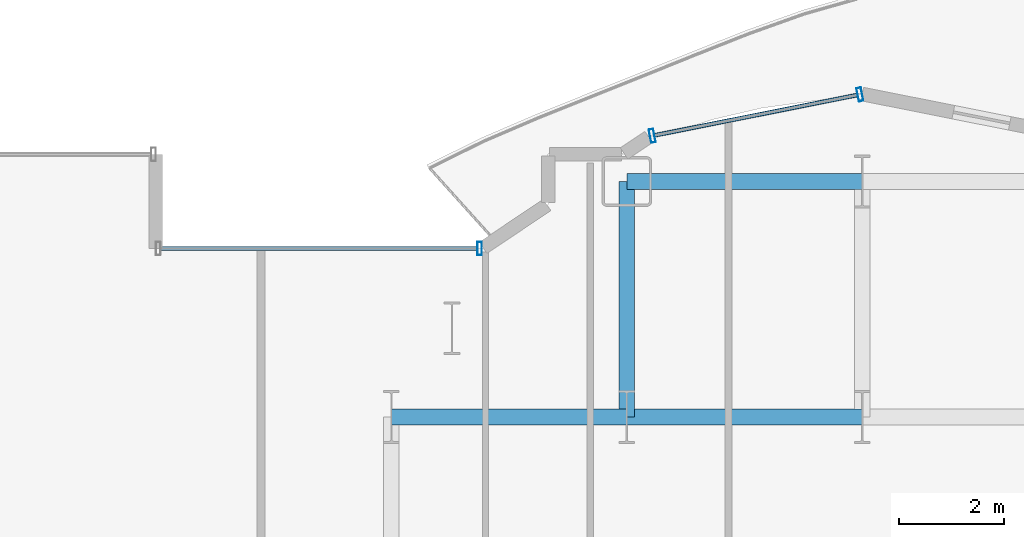
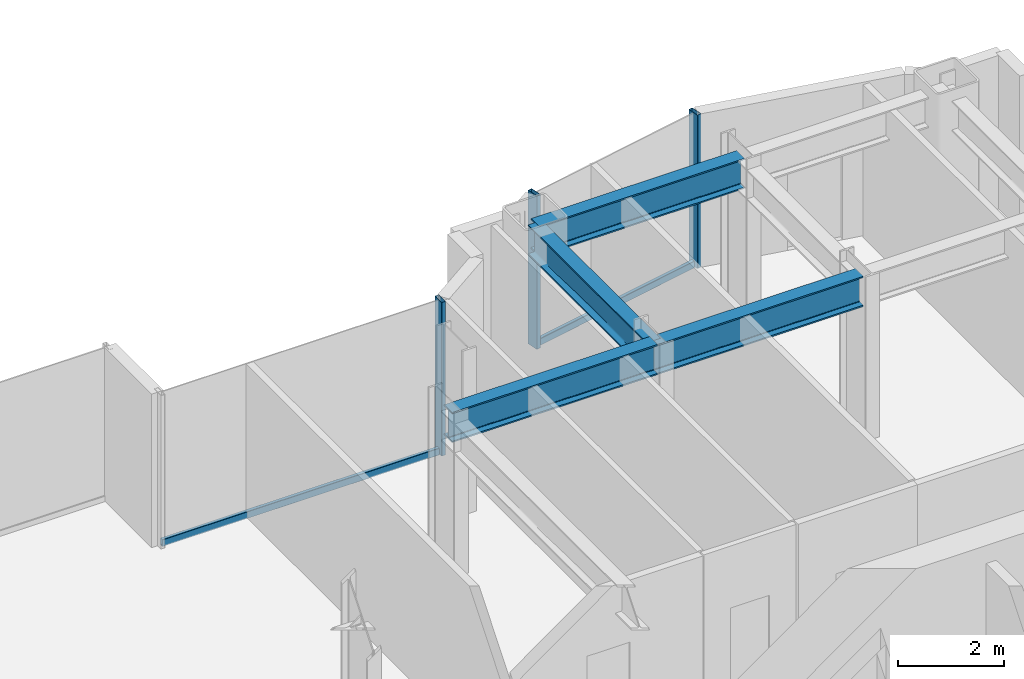
# One storey, part 13 of 29: 5 members, 4 beams, 2 elements without a shape of their own.
"""IFC4 building model written with IfcOpenShell, lengths in metres."""

from ifc_helpers import new_model, si_unit, direction, frame, origin, origin_2d, place, context, subcontext, project, spatial, hollow_rectangle, i_section, extrude, source, transform, mapped, material, layer, layer_set, material_profile, profile_set, type_object, element, aggregate, save


model = new_model("IFC4")

# Units and contexts
model_context = context("Model", 3, precision=1e-05, world=origin(), true_north=direction((0.0, 1.0)))
body_context = subcontext(model_context, "Body", "Model", "MODEL_VIEW")
ifc_project = project(units=[si_unit("LENGTHUNIT", "METRE"), si_unit("AREAUNIT", "SQUARE_METRE"), si_unit("VOLUMEUNIT", "CUBIC_METRE"), si_unit("PLANEANGLEUNIT", "RADIAN"), si_unit("MASSUNIT", "GRAM", prefix="KILO")], contexts=[model_context])

# Site, building, storey
site_placement = place(None, origin())
site = spatial("IfcSite", under=ifc_project, at=site_placement, CompositionType="ELEMENT")
building_placement = place(site_placement, origin())
building = spatial("IfcBuilding", under=site, at=building_placement, Name="Nefas-Gora Pilgrimage Tower", CompositionType="ELEMENT")
storey_placement = place(building_placement, frame((0.0, 0.0, 44.39990234375)))
storey = spatial("IfcBuildingStorey", under=building, at=storey_placement, Name="L09", CompositionType="ELEMENT", Elevation=44.39990234375)

# Beams
ifc_material_1 = material(Name="Steel S355", Category="steel")
ifc_material_profile_1 = material_profile(ifc_material_1, i_section(OverallWidth=0.300048828125, OverallDepth=0.699951171875, WebThickness=0.01708984375, FlangeThickness=0.031982421875, FilletRadius=0.027099609375, at=origin_2d()), Name="HEB 700")
ifc_profile_set_1 = profile_set([ifc_material_profile_1], Name="Steel S355")
beam_type = type_object("IfcBeamType", Name="BM-GIR-HEB700", PredefinedType="BEAM", material=ifc_profile_set_1)
shared_shape_1 = source(origin(), body_context, "Body", "SweptSolid", [
    extrude(i_section(OverallWidth=0.300048828125, OverallDepth=0.699951171875, WebThickness=0.01708984375, FlangeThickness=0.031982421875, FilletRadius=0.027099609375, at=origin_2d()), origin(), (0.0, 0.0, 1.0), 4.5),
])
for number, where, z_axis, x_axis, name in (
    (1, (-11.25, 18.0, 3.2001953125), (1.0, 0.0, 0.0), (0.0, 1.0, 0.0), "L09 G-02 beam"),
    (2, (-6.75, 18.0, 3.2001953125), (0.0, 1.0, 0.0), (-1.0, 0.0, 0.0), "L09 G-02 beam"),
    (3, (-6.75, 18.0, 3.2001953125), (1.0, 0.0, 0.0), (0.0, 1.0, 0.0), "L09 G-02 beam"),
    (4, (-6.75, 22.5, 3.2001953125), (1.0, 0.0, 0.0), (0.0, 1.0, 0.0), "L09 G-02 beam"),
):
    element("IfcBeam", number, at=place(storey_placement, frame(where, z_axis=z_axis, x_axis=x_axis)), inside=storey, type_object=beam_type, Name=name, PredefinedType="BEAM", context=body_context, shape_type="MappedRepresentation", body=[
        mapped(shared_shape_1, transform((0.0, 0.0, 0.0), x_axis=(1.0, 0.0, 0.0), y_axis=(0.0, 1.0, 0.0), z_axis=(0.0, 0.0, 1.0), scale=1.0)),
    ])

# Curtain wall, members
ifc_material_2 = material(Name="Dark ceramic-fritted solar-control aluminium-glass curtain wall", Category="aluminium")
ifc_layer = layer(ifc_material_2, 0.219970703125)
ifc_layer_set = layer_set([ifc_layer], Name="Dark ceramic-fritted solar-control aluminium-glass curtain wall")
curtain_wall_type = type_object("IfcCurtainWallType", Name="CW-SYS-5", PredefinedType="NOTDEFINED", material=ifc_layer_set)
curtain_wall_1_placement = place(storey_placement, origin())
curtain_wall_1 = element("IfcCurtainWall", 5, at=curtain_wall_1_placement, inside=storey, type_object=curtain_wall_type, Name="L09 Unitised Curtain Wall CW5", PredefinedType="NOTDEFINED")
ifc_material_3 = material(Name="Anodised architectural aluminium", Category="aluminium")
ifc_material_profile_2 = material_profile(ifc_material_3, hollow_rectangle(XDim=0.090087890625, YDim=0.260009765625, WallThickness=0.006103515625, InnerFilletRadius=0.006103515625, OuterFilletRadius=0.011962890625, at=origin_2d()), Name="ALU MULLION 90x260")
ifc_profile_set_2 = profile_set([ifc_material_profile_2], Name="Anodised architectural aluminium")
member_type_1 = type_object("IfcMemberType", Name="CWM-MUL-5", PredefinedType="MULLION", material=ifc_profile_set_2)
shared_shape_2 = source(origin(), body_context, "Body", "SweptSolid", [
    extrude(hollow_rectangle(XDim=0.090087890625, YDim=0.260009765625, WallThickness=0.006103515625, InnerFilletRadius=0.006103515625, OuterFilletRadius=0.011962890625, at=origin_2d()), origin(), (0.0, 0.0, 1.0), 3.550048828125),
])
member_1_placement = place(storey_placement, frame((-2.294189453125, 24.16357421875, 0.0), z_axis=(0.0, 0.0, 1.0), x_axis=(-0.980782896852, -0.195102304554, 0.0)))
member_1 = element("IfcMember", 6, at=member_1_placement, type_object=member_type_1, Name="CW5 Mullion 1", PredefinedType="MULLION", context=body_context, shape_type="MappedRepresentation", body=[
    mapped(shared_shape_2, transform((0.0, 0.0, 0.0), x_axis=(1.0, 0.0, 0.0), y_axis=(0.0, 1.0, 0.0), z_axis=(0.0, 0.0, 1.0), scale=1.0)),
])
member_2_placement = place(storey_placement, frame((-6.26318359375, 23.3740234375, 0.0), z_axis=(0.0, 0.0, 1.0), x_axis=(-0.980782896852, -0.195102304554, 0.0)))
member_2 = element("IfcMember", 7, at=member_2_placement, type_object=member_type_1, Name="CW5 Mullion 2", PredefinedType="MULLION", context=body_context, shape_type="MappedRepresentation", body=[
    mapped(shared_shape_2, transform((0.0, 0.0, 0.0), x_axis=(1.0, 0.0, 0.0), y_axis=(0.0, 1.0, 0.0), z_axis=(0.0, 0.0, 1.0), scale=1.0)),
])

curtain_wall_2_placement = place(storey_placement, origin())
curtain_wall_2 = element("IfcCurtainWall", 8, at=curtain_wall_2_placement, inside=storey, type_object=curtain_wall_type, Name="L09 Unitised Curtain Wall CW5", PredefinedType="NOTDEFINED")
member_3_placement = place(storey_placement, frame((-9.56298828125, 21.219970703125, 0.0), z_axis=(0.0, 0.0, 1.0), x_axis=(-1.0, 0.0, 0.0)))
member_3 = element("IfcMember", 9, at=member_3_placement, type_object=member_type_1, Name="CW5 Mullion 1", PredefinedType="MULLION", context=body_context, shape_type="MappedRepresentation", body=[
    mapped(shared_shape_2, transform((0.0, 0.0, 0.0), x_axis=(1.0, 0.0, 0.0), y_axis=(0.0, 1.0, 0.0), z_axis=(0.0, 0.0, 1.0), scale=1.0)),
])
ifc_material_profile_3 = material_profile(ifc_material_3, hollow_rectangle(XDim=0.080078125, YDim=0.159912109375, WallThickness=0.00439453125, InnerFilletRadius=0.00439453125, OuterFilletRadius=0.009033203125, at=origin_2d()), Name="ALU TRANSOM 80x160")
ifc_profile_set_3 = profile_set([ifc_material_profile_3], Name="Anodised architectural aluminium")
member_type_2 = type_object("IfcMemberType", Name="CWM-TRN-5", PredefinedType="USERDEFINED", material=ifc_profile_set_3)
shared_shape_3 = source(origin(), body_context, "Body", "SweptSolid", [
    extrude(hollow_rectangle(XDim=0.080078125, YDim=0.159912109375, WallThickness=0.00439453125, InnerFilletRadius=0.00439453125, OuterFilletRadius=0.009033203125, at=origin_2d()), origin(), (0.0, 0.0, 1.0), 6.052001953125),
])
member_4_placement = place(storey_placement, frame((-9.60791015625, 21.219970703125, 0.050048828125), z_axis=(-1.0, 0.0, 0.0), x_axis=(0.0, -1.0, 0.0)))
member_4 = element("IfcMember", 10, at=member_4_placement, type_object=member_type_2, Name="CW5 Spandrel Transom", ObjectType="TRANSOM", PredefinedType="USERDEFINED", context=body_context, shape_type="MappedRepresentation", body=[
    mapped(shared_shape_3, transform((0.0, 0.0, 0.0), x_axis=(1.0, 0.0, 0.0), y_axis=(0.0, 1.0, 0.0), z_axis=(0.0, 0.0, 1.0), scale=1.0)),
])
aggregate(curtain_wall_2, [member_3, member_4])

# Member
shared_shape_4 = source(origin(), body_context, "Body", "SweptSolid", [
    extrude(hollow_rectangle(XDim=0.080078125, YDim=0.159912109375, WallThickness=0.00439453125, InnerFilletRadius=0.00439453125, OuterFilletRadius=0.009033203125, at=origin_2d()), origin(), (0.0, 0.0, 1.0), 3.95654296875),
])
member_5_placement = place(storey_placement, frame((-2.33837890625, 24.15478515625, 0.050048828125), z_axis=(-0.980781880918, -0.195107411605, 0.0), x_axis=(0.195107411605, -0.980781880918, 0.0)))
member_5 = element("IfcMember", 11, at=member_5_placement, type_object=member_type_2, Name="CW5 Spandrel Transom", ObjectType="TRANSOM", PredefinedType="USERDEFINED", context=body_context, shape_type="MappedRepresentation", body=[
    mapped(shared_shape_4, transform((0.0, 0.0, 0.0), x_axis=(1.0, 0.0, 0.0), y_axis=(0.0, 1.0, 0.0), z_axis=(0.0, 0.0, 1.0), scale=1.0)),
])

aggregate(curtain_wall_1, [member_1, member_2, member_5])

save(model, "model.ifc")
